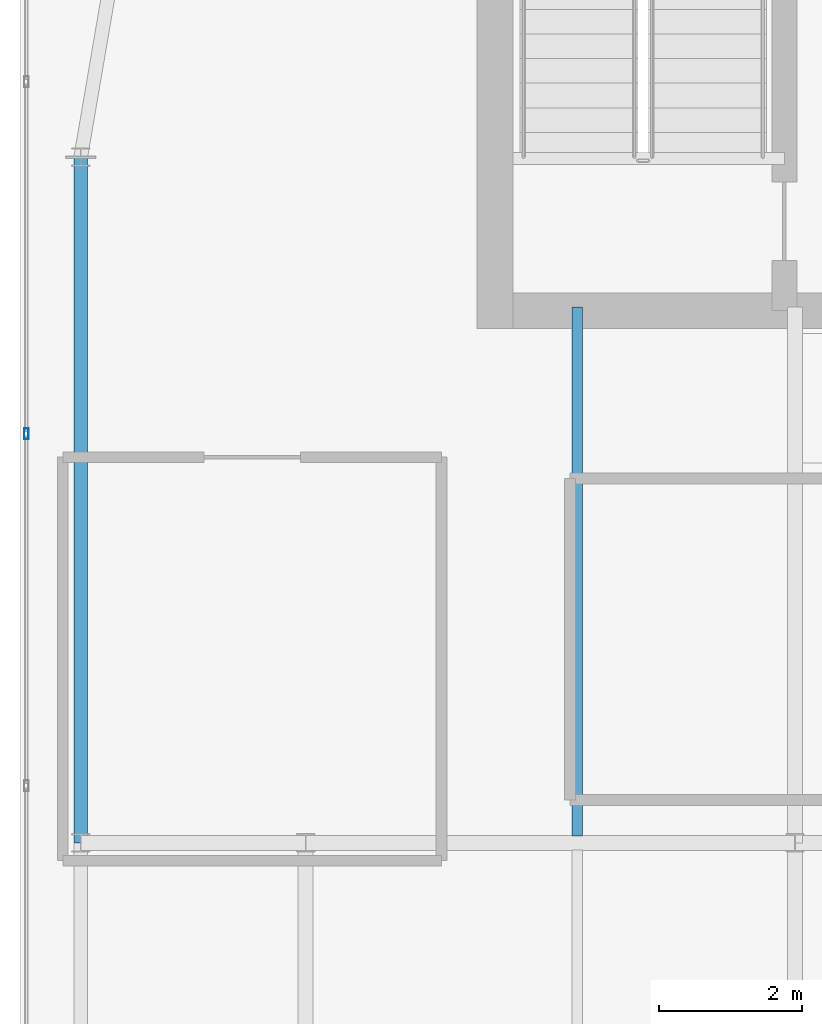
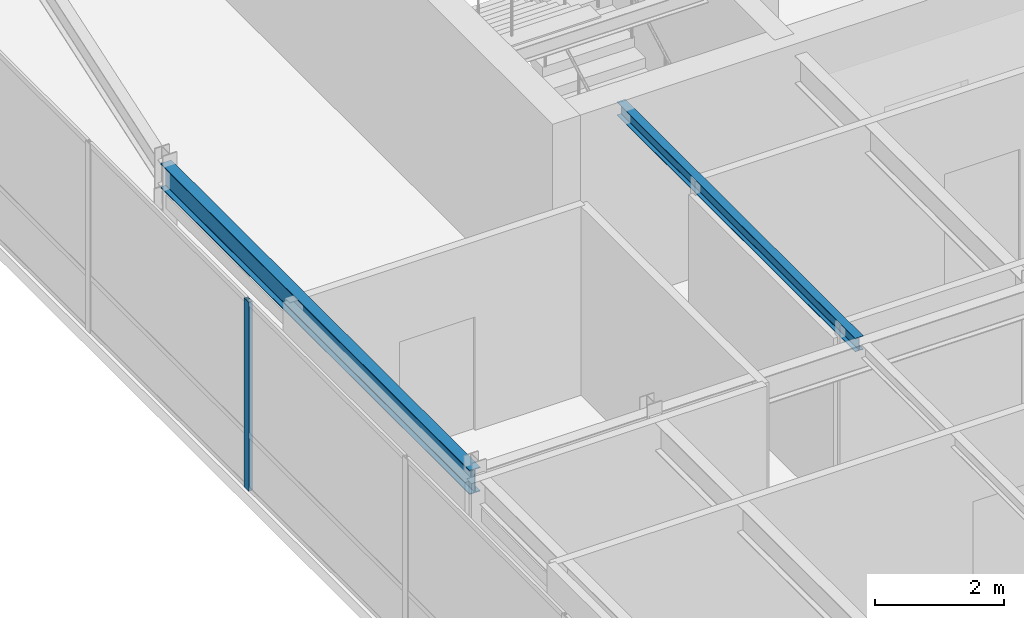
# One storey, part 17 of 36: 2 beams, 1 member, 1 element without a shape of its own.
"""IFC4 building model written with IfcOpenShell, lengths in metres."""

import ifcopenshell
import ifcopenshell.guid

model = None  # the IFC model being written
_history = None  # IfcOwnerHistory: only IFC2X3 demands one
_inside = {}  # id of a spatial element -> (the spatial element, [elements in it])
_under = {}  # id of a project, library or spatial element -> (it, [spatial elements below it])
_declared = {}  # id of a project -> (the project, [libraries it declares])
_typed = {}  # id of a type object -> (the type object, [elements of that type])
_made_of = {}  # id of a material, layer set ... -> (it, [elements and type objects made of it])


def new_model(schema):
    """Start an empty IFC model of exactly this schema.

    Asked for "IFC4X3", IfcOpenShell would pick the latest addendum, in which some entities
    have other attributes; the version numbers below select the first issue.
    IFC2X3 requires an IfcOwnerHistory on every rooted entity: one is made here for all.
    """
    global model, _history
    if schema == "IFC4X3":
        model = ifcopenshell.file(schema_version=(4, 3, 0, 0))
    else:
        model = ifcopenshell.file(schema=schema)
    _inside.clear()
    _under.clear()
    _declared.clear()
    _typed.clear()
    _made_of.clear()
    _history = None
    if model.schema == "IFC2X3":
        org = make("IfcOrganization", Name="unknown")
        user = make(
            "IfcPersonAndOrganization",
            ThePerson=make("IfcPerson", FamilyName="unknown"),
            TheOrganization=org,
        )
        app = make(
            "IfcApplication",
            ApplicationDeveloper=org,
            Version="unknown",
            ApplicationFullName="unknown",
            ApplicationIdentifier="unknown",
        )
        _history = make(
            "IfcOwnerHistory",
            OwningUser=user,
            OwningApplication=app,
            ChangeAction="ADDED",
            CreationDate=0,
        )
    return model


def make(cls, **values):
    """One entity of the class cls with the attributes given. An attribute that is None is left unset."""
    return model.create_entity(
        cls, **{name: value for name, value in values.items() if value is not None}
    )


def rooted(cls, **values):
    """An entity with a GlobalId (a new one), such as an element, a storey or a relation."""
    return make(cls, GlobalId=ifcopenshell.guid.new(), OwnerHistory=_history, **values)


def si_unit(unit_type, name, prefix=None):
    """IfcSIUnit, for example si_unit("LENGTHUNIT", "METRE", prefix="MILLI")."""
    return make("IfcSIUnit", UnitType=unit_type, Prefix=prefix, Name=name)


def assignment(units):
    """IfcUnitAssignment: the units of a project."""
    return None if units is None else make("IfcUnitAssignment", Units=units)


def point(xyz):
    """IfcCartesianPoint."""
    return None if xyz is None else make("IfcCartesianPoint", Coordinates=xyz)


def direction(xyz):
    """IfcDirection."""
    return None if xyz is None else make("IfcDirection", DirectionRatios=xyz)


def frame(location, z_axis=None, x_axis=None):
    """IfcAxis2Placement3D, a coordinate frame: its origin and axes. An axis left out is left unset."""
    return make(
        "IfcAxis2Placement3D",
        Location=point(location),
        Axis=direction(z_axis),
        RefDirection=direction(x_axis),
    )


def frame_2d(location, x_axis=None):
    """IfcAxis2Placement2D, a coordinate frame in the plane: its origin and x axis."""
    return make(
        "IfcAxis2Placement2D", Location=point(location), RefDirection=direction(x_axis)
    )


def origin():
    """The frame at (0, 0, 0) with its axes left unset."""
    return frame((0.0, 0.0, 0.0))


def origin_2d():
    """The frame at (0, 0) in the plane with its x axis left unset."""
    return frame_2d((0.0, 0.0))


def place(relative_to, where):
    """IfcLocalPlacement: puts the frame where relative to a parent placement (None: the world)."""
    return make(
        "IfcLocalPlacement", PlacementRelTo=relative_to, RelativePlacement=where
    )


def context(
    kind, dimensions, precision=None, world=None, true_north=None, identifier=None
):
    """IfcGeometricRepresentationContext, for example the 3D "Model" context."""
    return make(
        "IfcGeometricRepresentationContext",
        ContextIdentifier=identifier,
        ContextType=kind,
        CoordinateSpaceDimension=dimensions,
        Precision=precision,
        WorldCoordinateSystem=world,
        TrueNorth=true_north,
    )


def subcontext(parent, identifier, kind, view, scale=None):
    """IfcGeometricRepresentationSubContext, for example "Body" below "Model"."""
    return make(
        "IfcGeometricRepresentationSubContext",
        ContextIdentifier=identifier,
        ContextType=kind,
        ParentContext=parent,
        TargetScale=scale,
        TargetView=view,
    )


def project(units=None, contexts=None):
    """IfcProject with its units and contexts."""
    return rooted(
        "IfcProject",
        Name="project",
        RepresentationContexts=contexts,
        UnitsInContext=assignment(units),
    )


def spatial(cls, under=None, at=None, **own):
    """A site, building, storey or space (cls), placed at a placement, below another one or the project."""
    s = rooted(cls, ObjectPlacement=at, **own)
    if under is not None:
        _under.setdefault(under.id(), (under, []))[1].append(s)
    return s


def profile(cls, at=None, kind="AREA", **sizes):
    """A parametric profile (cls). Its sizes go by their IFC names, for example OverallWidth=200.0."""
    return make(cls, ProfileType=kind, Position=at, **sizes)


def hollow_rectangle(**sizes):
    """IfcRectangleHollowProfileDef."""
    return profile("IfcRectangleHollowProfileDef", **sizes)


def i_section(**sizes):
    """IfcIShapeProfileDef."""
    return profile("IfcIShapeProfileDef", **sizes)


def extrude(swept, where, along, depth):
    """IfcExtrudedAreaSolid: the profile swept, set in the frame where, extruded along a direction by depth."""
    return make(
        "IfcExtrudedAreaSolid",
        SweptArea=swept,
        Position=where,
        ExtrudedDirection=direction(along),
        Depth=depth,
    )


def shape(context_of_items, identifier, shape_type, items):
    """IfcShapeRepresentation: the items that make up one representation, for example the "Body"."""
    return make(
        "IfcShapeRepresentation",
        ContextOfItems=context_of_items,
        RepresentationIdentifier=identifier,
        RepresentationType=shape_type,
        Items=items,
    )


def source(mapping_origin, context_of_items, identifier, shape_type, items):
    """IfcRepresentationMap: a shape defined once, which mapped items show again and again."""
    return make(
        "IfcRepresentationMap",
        MappingOrigin=mapping_origin,
        MappedRepresentation=shape(context_of_items, identifier, shape_type, items),
    )


def transform(
    local_origin,
    x_axis=None,
    y_axis=None,
    z_axis=None,
    scale=None,
    scale2=None,
    scale3=None,
    uniform=True,
):
    """IfcCartesianTransformationOperator3D, or its non-uniform kind. x_axis, y_axis, z_axis: its Axis1, 2, 3."""
    if uniform:
        return make(
            "IfcCartesianTransformationOperator3D",
            Axis1=direction(x_axis),
            Axis2=direction(y_axis),
            LocalOrigin=point(local_origin),
            Scale=scale,
            Axis3=direction(z_axis),
        )
    return make(
        "IfcCartesianTransformationOperator3DnonUniform",
        Axis1=direction(x_axis),
        Axis2=direction(y_axis),
        LocalOrigin=point(local_origin),
        Scale=scale,
        Axis3=direction(z_axis),
        Scale2=scale2,
        Scale3=scale3,
    )


def mapped(mapping_source, mapping_target):
    """IfcMappedItem: shows the shape of a source again, moved by a transform."""
    return make(
        "IfcMappedItem", MappingSource=mapping_source, MappingTarget=mapping_target
    )


def material(Name=None, Category=None):
    """IfcMaterial."""
    return make("IfcMaterial", Name=Name, Category=Category)


def layer(
    of_material, thickness, ventilated=None, Name=None, Category=None, Priority=None
):
    """IfcMaterialLayer: one layer of a wall or slab, of a material (None: an air gap)."""
    return make(
        "IfcMaterialLayer",
        Material=of_material,
        LayerThickness=thickness,
        IsVentilated=ventilated,
        Name=Name,
        Category=Category,
        Priority=Priority,
    )


def layer_set(layers, Name=None):
    """IfcMaterialLayerSet."""
    return make("IfcMaterialLayerSet", MaterialLayers=layers, LayerSetName=Name)


def material_profile(
    of_material, cross_section, Name=None, Category=None, Priority=None
):
    """IfcMaterialProfile: a cross section and its material."""
    return make(
        "IfcMaterialProfile",
        Name=Name,
        Material=of_material,
        Profile=cross_section,
        Priority=Priority,
        Category=Category,
    )


def profile_set(profiles, Name=None, composite=None):
    """IfcMaterialProfileSet."""
    return make(
        "IfcMaterialProfileSet",
        Name=Name,
        MaterialProfiles=profiles,
        CompositeProfile=composite,
    )


def made_of(thing, what):
    """Note that an element or type object is made of a material, layer set ...; save() writes the relation."""
    if what is not None:
        _made_of.setdefault(what.id(), (what, []))[1].append(thing)
    return thing


def type_object(cls, material=None, **own):
    """A type object (cls), such as IfcWallType, which elements share."""
    return made_of(rooted(cls, **own), material)


def type_shapes(of_type, sources):
    """Give a type object the sources (RepresentationMaps) that its elements show as mapped items."""
    of_type.RepresentationMaps = sources


def element(
    cls,
    number,
    at=None,
    inside=None,
    cuts=None,
    type_object=None,
    material=None,
    context=None,
    identifier="Body",
    shape_type=None,
    held_by="IfcProductDefinitionShape",
    body=None,
    shapes=None,
    **own,
):
    """One element of the class cls, such as IfcWall. Its Tag is "e" and its number.

    at: its placement. inside: the storey or other place that contains it. cuts: it is an
    opening in that element (IfcRelVoidsElement). A single representation is given by context,
    identifier, shape_type and body (its items); several are given by shapes. held_by: the class
    of the entity that holds the representations. save() writes the other relations.
    """
    e = rooted(cls, Tag="e%d" % number, ObjectPlacement=at, **own)
    if body is not None:
        shapes = [shape(context, identifier, shape_type, body)]
    if shapes is not None:
        e.Representation = make(held_by, Representations=shapes)
    if inside is not None:
        _inside.setdefault(inside.id(), (inside, []))[1].append(e)
    if cuts is not None:
        rooted(
            "IfcRelVoidsElement", RelatingBuildingElement=cuts, RelatedOpeningElement=e
        )
    if type_object is not None:
        _typed.setdefault(type_object.id(), (type_object, []))[1].append(e)
    return made_of(e, material)


def aggregate(whole, parts):
    """IfcRelAggregates: a whole, such as a stair, and the parts it consists of."""
    return rooted("IfcRelAggregates", RelatingObject=whole, RelatedObjects=parts)


def save(model, path):
    """Write the relations noted so far, then the file.

    IfcRelAggregates (storeys below a building ...), IfcRelContainedInSpatialStructure (elements
    in a storey), IfcRelDefinesByType, IfcRelAssociatesMaterial and IfcRelDeclares: one each for
    every whole, place, type object, material and project.
    """
    for whole, parts in _under.values():
        aggregate(whole, parts)
    for where, things in _inside.values():
        rooted(
            "IfcRelContainedInSpatialStructure",
            RelatedElements=things,
            RelatingStructure=where,
        )
    for kind, things in _typed.values():
        rooted("IfcRelDefinesByType", RelatedObjects=things, RelatingType=kind)
    for what, things in _made_of.values():
        rooted("IfcRelAssociatesMaterial", RelatedObjects=things, RelatingMaterial=what)
    for by, libraries in _declared.values():
        rooted("IfcRelDeclares", RelatingContext=by, RelatedDefinitions=libraries)
    model.write(path)


model = new_model("IFC4")

# Units and contexts
model_context = context("Model", 3, precision=1e-05, world=origin(), true_north=direction((0.0, 1.0)))
body_context = subcontext(model_context, "Body", "Model", "MODEL_VIEW")
ifc_project = project(units=[si_unit("LENGTHUNIT", "METRE"), si_unit("AREAUNIT", "SQUARE_METRE"), si_unit("VOLUMEUNIT", "CUBIC_METRE"), si_unit("PLANEANGLEUNIT", "RADIAN"), si_unit("MASSUNIT", "GRAM", prefix="KILO")], contexts=[model_context])

# Site, building, storey
site_placement = place(None, origin())
site = spatial("IfcSite", under=ifc_project, at=site_placement, CompositionType="ELEMENT")
building_placement = place(site_placement, origin())
building = spatial("IfcBuilding", under=site, at=building_placement, Name="Tolvann Quenvar Hotel", CompositionType="ELEMENT")
storey_placement = place(building_placement, frame((0.0, 0.0, 294.75)))
storey = spatial("IfcBuildingStorey", under=building, at=storey_placement, Name="L78", CompositionType="ELEMENT", Elevation=294.75)

# Beams
ifc_material_1 = material(Name="Steel Grade 350", Category="steel")
ifc_material_profile_1 = material_profile(ifc_material_1, i_section(OverallWidth=0.19091796875, OverallDepth=0.4599609375, WebThickness=0.010009765625, FlangeThickness=0.01611328125, FilletRadius=0.011474609375, at=origin_2d()), Name="460UB82")
ifc_profile_set_1 = profile_set([ifc_material_profile_1], Name="Steel Grade 350")
beam_type_1 = type_object("IfcBeamType", Name="BM_SPAND_460UB82", PredefinedType="SPANDREL", material=ifc_profile_set_1)
shared_shape_1 = source(origin(), body_context, "Body", "SweptSolid", [
    extrude(i_section(OverallWidth=0.19091796875, OverallDepth=0.4599609375, WebThickness=0.010009765625, FlangeThickness=0.01611328125, FilletRadius=0.011474609375, at=origin_2d()), origin(), (0.0, 0.0, 1.0), 9.60009765625),
])
type_shapes(beam_type_1, [shared_shape_1])
beam_1_placement = place(storey_placement, frame((4.449951171875, 24.39990234375, 3.35009765625), z_axis=(0.0, 1.0, 0.0), x_axis=(-1.0, 0.0, 0.0)))
element("IfcBeam", 1, at=beam_1_placement, inside=storey, type_object=beam_type_1, Name="BM-L78-FLK-W1", PredefinedType="SPANDREL", context=body_context, shape_type="MappedRepresentation", body=[
    mapped(shared_shape_1, transform((0.0, 0.0, 0.0), x_axis=(1.0, 0.0, 0.0), y_axis=(0.0, 1.0, 0.0), z_axis=(0.0, 0.0, 1.0), scale=1.0)),
])
ifc_material_profile_2 = material_profile(ifc_material_1, i_section(OverallWidth=0.14599609375, OverallDepth=0.256103515625, WebThickness=0.00634765625, FlangeThickness=0.010986328125, FilletRadius=0.0087890625, at=origin_2d()), Name="250UB37")
ifc_profile_set_2 = profile_set([ifc_material_profile_2], Name="Steel Grade 350")
beam_type_2 = type_object("IfcBeamType", Name="BM_JOIST_250UB37", PredefinedType="JOIST", material=ifc_profile_set_2)
shared_shape_2 = source(origin(), body_context, "Body", "SweptSolid", [
    extrude(i_section(OverallWidth=0.14599609375, OverallDepth=0.256103515625, WebThickness=0.00634765625, FlangeThickness=0.010986328125, FilletRadius=0.0087890625, at=origin_2d()), origin(), (0.0, 0.0, 1.0), 7.4013671875),
])
type_shapes(beam_type_2, [shared_shape_2])
beam_2_placement = place(storey_placement, frame((11.39990234375, 24.49853515625, 3.451904296875), z_axis=(0.0, 1.0, 0.0), x_axis=(-1.0, 0.0, 0.0)))
element("IfcBeam", 2, at=beam_2_placement, inside=storey, type_object=beam_type_2, Name="BJ-L78-114-244", PredefinedType="JOIST", context=body_context, shape_type="MappedRepresentation", body=[
    mapped(shared_shape_2, transform((0.0, 0.0, 0.0), x_axis=(1.0, 0.0, 0.0), y_axis=(0.0, 1.0, 0.0), z_axis=(0.0, 0.0, 1.0), scale=1.0)),
])

# Curtain wall, member
ifc_material_2 = material(Name="Thermally broken anodised architectural aluminium 6063-T6 and laminated low-E glass", Category="aluminium")
ifc_layer = layer(ifc_material_2, 0.179931640625)
ifc_layer_set = layer_set([ifc_layer], Name="Thermally broken anodised architectural aluminium 6063-T6 and laminated low-E glass")
curtain_wall_type = type_object("IfcCurtainWallType", Name="CW_SYS_LANT_06", PredefinedType="USERDEFINED", material=ifc_layer_set)
curtain_wall_placement = place(storey_placement, origin())
curtain_wall = element("IfcCurtainWall", 3, at=curtain_wall_placement, inside=storey, type_object=curtain_wall_type, Name="Curtain Wall CW-LANT-06 (CWR-L78-E19)", ObjectType="UNITISED CURTAIN WALL", PredefinedType="USERDEFINED")
ifc_material_3 = material(Name="Anodised architectural aluminium 6063-T6 framing", Category="aluminium")
ifc_material_profile_3 = material_profile(ifc_material_3, hollow_rectangle(XDim=0.06494140625, YDim=0.14990234375, WallThickness=0.00390625, at=origin_2d()), Name="150x65x4RHS")
ifc_profile_set_3 = profile_set([ifc_material_profile_3], Name="Anodised architectural aluminium 6063-T6 framing")
member_type = type_object("IfcMemberType", Name="CW_MULL_150x65", PredefinedType="MULLION", material=ifc_profile_set_3)
shared_shape_3 = source(origin(), body_context, "Body", "SweptSolid", [
    extrude(hollow_rectangle(XDim=0.06494140625, YDim=0.14990234375, WallThickness=0.00390625, at=origin_2d()), origin(), (0.0, 0.0, 1.0), 3.580078125),
])
type_shapes(member_type, [shared_shape_3])
member_placement = place(storey_placement, frame((3.68994140625, 30.127685546875, 0.0), z_axis=(0.0, 0.0, 1.0), x_axis=(1.0, 0.0, 0.0)))
member = element("IfcMember", 4, at=member_placement, type_object=member_type, Name="CW-LANT-06 mullion 3", PredefinedType="MULLION", context=body_context, shape_type="MappedRepresentation", body=[
    mapped(shared_shape_3, transform((0.0, 0.0, 0.0), x_axis=(1.0, 0.0, 0.0), y_axis=(0.0, 1.0, 0.0), z_axis=(0.0, 0.0, 1.0), scale=1.0)),
])
aggregate(curtain_wall, [member])

save(model, "model.ifc")
